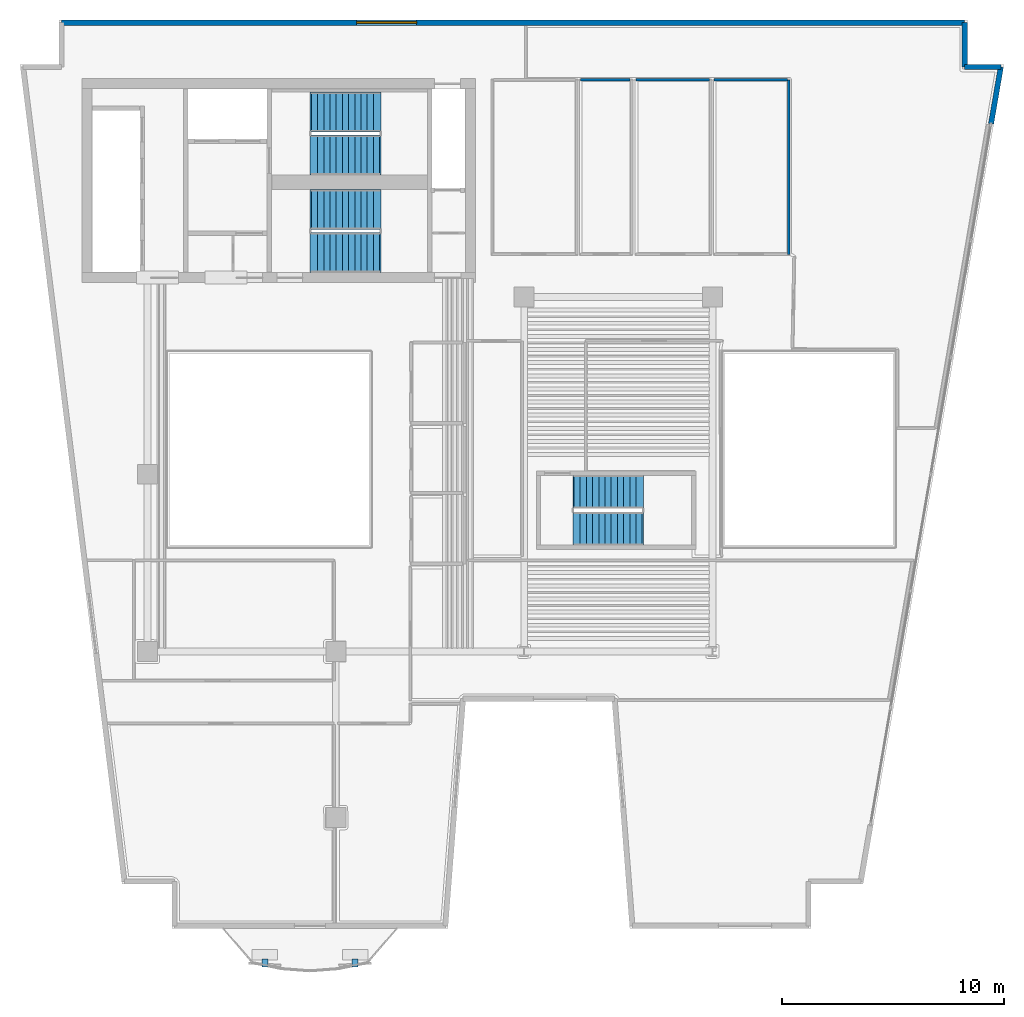
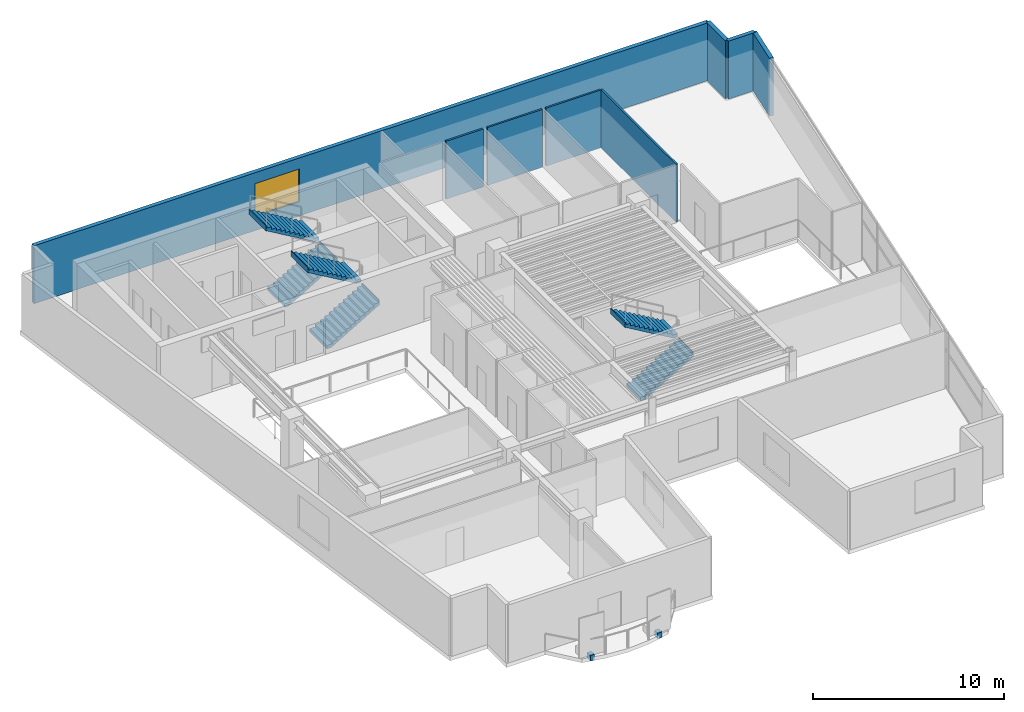
# One storey, part 6 of 9: 8 walls, 6 stair flights, 2 discrete accessories, 1 window, 1 opening, 3 elements without a shape of their own.
"""IFC4 building model written with IfcOpenShell, lengths in metres."""

from ifc_helpers import new_model, si_unit, direction, frame, frame_2d, origin, origin_2d, place, context, subcontext, project, spatial, polyline, rectangle, outline, extrude, material, layer, layer_set, type_object, element, fill, aggregate, save


model = new_model("IFC4")

# Units and contexts
model_context = context("Model", 3, precision=1e-05, world=origin(), true_north=direction((0.0, 1.0)))
body_context = subcontext(model_context, "Body", "Model", "MODEL_VIEW")
ifc_project = project(units=[si_unit("LENGTHUNIT", "METRE"), si_unit("AREAUNIT", "SQUARE_METRE"), si_unit("VOLUMEUNIT", "CUBIC_METRE"), si_unit("PLANEANGLEUNIT", "RADIAN"), si_unit("MASSUNIT", "GRAM", prefix="KILO")], contexts=[model_context])

# Site, building, storey
site_placement = place(None, origin())
site = spatial("IfcSite", under=ifc_project, at=site_placement, CompositionType="ELEMENT")
building_placement = place(site_placement, origin())
building = spatial("IfcBuilding", under=site, at=building_placement, Name="Caeloran Harvest Quay", CompositionType="ELEMENT")
storey_placement = place(building_placement, frame((0.0, 0.0, 231.14990234375)))
storey = spatial("IfcBuildingStorey", under=building, at=storey_placement, Name="L55", CompositionType="ELEMENT", Elevation=231.14990234375)

# Wall, opening, window
ifc_material_1 = material(Name="Precast concrete C50/60", Category="concrete")
ifc_layer_1 = layer(ifc_material_1, 0.239990234375, Name="Precast concrete C50/60")
ifc_layer_set_1 = layer_set([ifc_layer_1], Name="Precast concrete C50/60")
wall_type_1 = type_object("IfcWallType", Name="ENV-WALL-EW-240", PredefinedType="STANDARD", material=ifc_layer_set_1)
wall_1_placement = place(storey_placement, frame((4.6201171875, 43.3798828125, 0.0), z_axis=(0.0, 0.0, 1.0), x_axis=(1.0, 0.0, 0.0)))
wall_1 = element("IfcWall", 1, at=wall_1_placement, inside=storey, type_object=wall_type_1, Name="L55 Exterior Precast Concrete Facade Wall 6", PredefinedType="STANDARD", context=body_context, shape_type="SweptSolid", body=[
    extrude(rectangle(XDim=40.759765625, YDim=0.239990234375, at=frame_2d((20.3798828125, 0.0))), origin(), (0.0, 0.0, 1.0), 3.7001953125),
])
opening_placement = place(wall_1_placement, frame((13.323974609375, 0.0, 0.89990234375)))
opening = element("IfcOpeningElement", 2, at=opening_placement, cuts=wall_1, Name="Opening W-07", PredefinedType="OPENING", context=body_context, shape_type="SweptSolid", body=[
    extrude(rectangle(XDim=2.699951171875, YDim=2.10009765625, at=frame_2d((1.35009765625, 1.050048828125))), frame((0.0, 0.1298828125, 0.0), z_axis=(0.0, -1.0, 0.0), x_axis=(1.0, 0.0, 0.0)), (0.0, 0.0, 1.0), 0.260009765625),
])
ifc_material_2 = material(Name="Aluminium-Framed Low-E Laminated Glass", Category="aluminium")
window_type = type_object("IfcWindowType", Name="WIN-W-07", PartitioningType="DOUBLE_PANEL_VERTICAL", PredefinedType="WINDOW", material=ifc_material_2)
window_placement = place(opening_placement, origin())
window = element("IfcWindow", 3, at=window_placement, inside=storey, type_object=window_type, Name="L55 Facade Punched Window W-07", OverallHeight=2.10009765625, OverallWidth=2.699951171875, PartitioningType="DOUBLE_PANEL_VERTICAL", PredefinedType="WINDOW", context=body_context, shape_type="SweptSolid", body=[
    extrude(rectangle(XDim=2.699951171875, YDim=2.10009765625, at=frame_2d((1.35009765625, 1.050048828125))), frame((0.0, 0.030029296875, 0.0), z_axis=(0.0, -1.0, 0.0), x_axis=(1.0, 0.0, 0.0)), (0.0, 0.0, 1.0), 0.06005859375),
])
fill(opening, window)

# Walls
wall_2_placement = place(storey_placement, frame((45.3798828125, 43.3798828125, 0.0), z_axis=(0.0, 0.0, 1.0), x_axis=(0.0, -1.0, 0.0)))
element("IfcWall", 4, at=wall_2_placement, inside=storey, type_object=wall_type_1, Name="L55 Exterior Precast Concrete Facade Wall 7", PredefinedType="STANDARD", context=body_context, shape_type="SweptSolid", body=[
    extrude(rectangle(XDim=2.0, YDim=0.239990234375, at=frame_2d((1.0, 0.0))), origin(), (0.0, 0.0, 1.0), 3.7001953125),
])
wall_3_placement = place(storey_placement, frame((45.3798828125, 41.3798828125, 0.0), z_axis=(0.0, 0.0, 1.0), x_axis=(1.0, 0.0, 0.0)))
element("IfcWall", 5, at=wall_3_placement, inside=storey, type_object=wall_type_1, Name="L55 Exterior Precast Concrete Facade Wall 8", PredefinedType="STANDARD", context=body_context, shape_type="SweptSolid", body=[
    extrude(rectangle(XDim=1.634033203125, YDim=0.239990234375, at=frame_2d((0.81689453125, 0.0))), origin(), (0.0, 0.0, 1.0), 3.7001953125),
])
wall_4_placement = place(storey_placement, frame((47.013916015625, 41.3798828125, 0.0), z_axis=(0.0, 0.0, 1.0), x_axis=(-0.169406892601, -0.985546196147, 0.0)))
element("IfcWall", 6, at=wall_4_placement, inside=storey, type_object=wall_type_1, Name="L55 Exterior Facade Corner Pier Wall 9A", PredefinedType="STANDARD", context=body_context, shape_type="SweptSolid", body=[
    extrude(rectangle(XDim=2.599853515625, YDim=0.239990234375, at=frame_2d((1.2998046875, 0.0))), origin(), (0.0, 0.0, 1.0), 3.7001953125),
])
ifc_material_3 = material(Name="Single-Stud Acoustic Gypsum Office Partition", Category="gypsum")
ifc_layer_2 = layer(ifc_material_3, 0.112060546875, Name="Single-Stud Acoustic Gypsum Office Partition")
ifc_layer_set_2 = layer_set([ifc_layer_2], Name="Single-Stud Acoustic Gypsum Office Partition")
wall_type_2 = type_object("IfcWallType", Name="INT-WALL-PW-112", PredefinedType="PARTITIONING", material=ifc_layer_set_2)
wall_5_placement = place(storey_placement, frame((28.0400390625, 40.800048828125, 0.0), z_axis=(0.0, 0.0, 1.0), x_axis=(1.0, 0.0, 0.0)))
element("IfcWall", 7, at=wall_5_placement, inside=storey, type_object=wall_type_2, Name="L55 Genomics Sequencing East Studio Partition Wall", PredefinedType="PARTITIONING", context=body_context, shape_type="SweptSolid", body=[
    extrude(rectangle(XDim=2.2490234375, YDim=0.112060546875, at=frame_2d((1.12451171875, 0.0))), origin(), (0.0, 0.0, 1.0), 3.7001953125),
])
wall_6_placement = place(storey_placement, frame((30.550048828125, 40.800048828125, 0.0), z_axis=(0.0, 0.0, 1.0), x_axis=(1.0, 0.0, 0.0)))
element("IfcWall", 8, at=wall_6_placement, inside=storey, type_object=wall_type_2, Name="L55 Agri-Genomics West Boardroom Partition Wall", PredefinedType="PARTITIONING", context=body_context, shape_type="SweptSolid", body=[
    extrude(rectangle(XDim=3.308837890625, YDim=0.112060546875, at=frame_2d((1.654296875, 0.0))), origin(), (0.0, 0.0, 1.0), 3.7001953125),
])
wall_7_placement = place(storey_placement, frame((37.449951171875, 40.800048828125, 0.0), z_axis=(0.0, 0.0, 1.0), x_axis=(0.0, -1.0, 0.0)))
element("IfcWall", 9, at=wall_7_placement, inside=storey, type_object=wall_type_2, Name="L55 Executive Strategy East Office Partition Wall", PredefinedType="PARTITIONING", context=body_context, shape_type="SweptSolid", body=[
    extrude(rectangle(XDim=7.880126953125, YDim=0.112060546875, at=frame_2d((3.93994140625, 0.0))), origin(), (0.0, 0.0, 1.0), 3.7001953125),
])
wall_8_placement = place(storey_placement, frame((34.080078125, 40.800048828125, 0.0), z_axis=(0.0, 0.0, 1.0), x_axis=(1.0, 0.0, 0.0)))
element("IfcWall", 10, at=wall_8_placement, inside=storey, type_object=wall_type_2, Name="L55 Executive Strategy East Office Partition Wall", PredefinedType="PARTITIONING", context=body_context, shape_type="SweptSolid", body=[
    extrude(rectangle(XDim=3.308837890625, YDim=0.112060546875, at=frame_2d((1.654296875, 0.0))), origin(), (0.0, 0.0, 1.0), 3.7001953125),
])

# Stair, stair flights
ifc_material_4 = material(Name="Concrete C50/60", Category="concrete")
stair_type_1 = type_object("IfcStairType", Name="STAIR-STC-180", PredefinedType="HALF_TURN_STAIR", material=ifc_material_4)
stair_1_placement = place(storey_placement, origin())
stair_1 = element("IfcStair", 11, at=stair_1_placement, inside=storey, type_object=stair_type_1, Name="L55 Core Pressurized Exit Stair ST-C1", PredefinedType="HALF_TURN_STAIR")
stair_flight_type_1 = type_object("IfcStairFlightType", Name="FLIGHT-STC-180", PredefinedType="STRAIGHT", material=ifc_material_4)
stair_flight_1_placement = place(storey_placement, frame((15.89990234375, 37.39990234375, 0.0), z_axis=(0.0, 0.0, 1.0), x_axis=(1.0, 0.0, 0.0)))
stair_flight_1 = element("IfcStairFlight", 12, at=stair_flight_1_placement, type_object=stair_flight_type_1, Name="ST-C1 flight 1", NumberOfRisers=12, NumberOfTreads=11, PredefinedType="STRAIGHT", RiserHeight=0.164583333, TreadLength=0.28, context=body_context, shape_type="SweptSolid", body=[
    extrude(outline(polyline([(-0.054931640625, -0.044921875), (-0.054931640625, -0.031982421875), (-0.054931640625, -0.018798828125), (-0.054931640625, -0.005615234375), (-0.054931640625, 0.00732421875), (-0.054931640625, 0.0205078125), (-0.054931640625, 0.03369140625), (-0.054931640625, 0.046630859375), (-0.054931640625, 0.059814453125), (-0.054931640625, 0.072998046875), (-0.054931640625, 0.0859375), (-0.054931640625, 0.09912109375), (-0.054931640625, 0.1123046875), (-0.054931640625, 0.125244140625), (-0.054931640625, 0.138427734375), (-0.054931640625, 0.1513671875), (-0.054931640625, 0.16455078125), (0.280029296875, 0.16455078125), (0.280029296875, 0.3291015625), (0.56005859375, 0.3291015625), (0.56005859375, 0.49365234375), (0.840087890625, 0.49365234375), (0.840087890625, 0.658447265625), (1.1201171875, 0.658447265625), (1.1201171875, 0.822998046875), (1.39990234375, 0.822998046875), (1.39990234375, 0.987548828125), (1.679931640625, 0.987548828125), (1.679931640625, 1.152099609375), (1.9599609375, 1.152099609375), (1.9599609375, 1.316650390625), (2.239990234375, 1.316650390625), (2.239990234375, 1.481201171875), (2.52001953125, 1.481201171875), (2.52001953125, 1.645751953125), (2.800048828125, 1.645751953125), (2.800048828125, 1.810302734375), (3.080078125, 1.810302734375), (3.080078125, 1.97509765625), (3.135009765625, 1.97509765625), (3.135009765625, 1.953857421875), (3.135009765625, 1.9326171875), (3.135009765625, 1.91162109375), (3.135009765625, 1.890380859375), (3.135009765625, 1.869140625), (3.135009765625, 1.84814453125), (3.135009765625, 1.826904296875), (3.135009765625, 1.8056640625), (3.135009765625, 1.78466796875), (3.135009765625, 1.763427734375), (3.135009765625, 1.7421875), (3.135009765625, 1.72119140625), (3.135009765625, 1.699951171875), (3.135009765625, 1.678955078125), (3.135009765625, 1.65771484375), (3.135009765625, 1.636474609375), (3.080078125, 1.636474609375), (0.21923828125, -0.044921875), (-0.054931640625, -0.044921875)])), frame((0.0, 0.89990234375, 0.0), z_axis=(0.0, -1.0, 0.0), x_axis=(1.0, 0.0, 0.0)), (0.0, 0.0, 1.0), 1.800048828125),
])
stair_flight_2_placement = place(storey_placement, frame((18.97998046875, 39.35009765625, 1.97509765625), z_axis=(0.0, 0.0, 1.0), x_axis=(-1.0, 0.0, 0.0)))
stair_flight_2 = element("IfcStairFlight", 13, at=stair_flight_2_placement, type_object=stair_flight_type_1, Name="ST-C1 flight 2", NumberOfRisers=12, NumberOfTreads=11, PredefinedType="STRAIGHT", RiserHeight=0.164583333, TreadLength=0.28, context=body_context, shape_type="SweptSolid", body=[
    extrude(outline(polyline([(-0.054931640625, -0.044921875), (-0.054931640625, -0.031982421875), (-0.054931640625, -0.018798828125), (-0.054931640625, -0.005615234375), (-0.054931640625, 0.00732421875), (-0.054931640625, 0.0205078125), (-0.054931640625, 0.03369140625), (-0.054931640625, 0.046630859375), (-0.054931640625, 0.059814453125), (-0.054931640625, 0.072998046875), (-0.054931640625, 0.0859375), (-0.054931640625, 0.09912109375), (-0.054931640625, 0.1123046875), (-0.054931640625, 0.125244140625), (-0.054931640625, 0.138427734375), (-0.054931640625, 0.1513671875), (-0.054931640625, 0.16455078125), (0.280029296875, 0.16455078125), (0.280029296875, 0.3291015625), (0.56005859375, 0.3291015625), (0.56005859375, 0.49365234375), (0.840087890625, 0.49365234375), (0.840087890625, 0.658447265625), (1.1201171875, 0.658447265625), (1.1201171875, 0.822998046875), (1.39990234375, 0.822998046875), (1.39990234375, 0.987548828125), (1.679931640625, 0.987548828125), (1.679931640625, 1.152099609375), (1.9599609375, 1.152099609375), (1.9599609375, 1.316650390625), (2.239990234375, 1.316650390625), (2.239990234375, 1.481201171875), (2.52001953125, 1.481201171875), (2.52001953125, 1.645751953125), (2.800048828125, 1.645751953125), (2.800048828125, 1.810302734375), (3.080078125, 1.810302734375), (3.080078125, 1.97509765625), (3.135009765625, 1.97509765625), (3.135009765625, 1.953857421875), (3.135009765625, 1.9326171875), (3.135009765625, 1.91162109375), (3.135009765625, 1.890380859375), (3.135009765625, 1.869140625), (3.135009765625, 1.84814453125), (3.135009765625, 1.826904296875), (3.135009765625, 1.8056640625), (3.135009765625, 1.78466796875), (3.135009765625, 1.763427734375), (3.135009765625, 1.7421875), (3.135009765625, 1.72119140625), (3.135009765625, 1.699951171875), (3.135009765625, 1.678955078125), (3.135009765625, 1.65771484375), (3.135009765625, 1.636474609375), (3.080078125, 1.636474609375), (0.21923828125, -0.044921875), (-0.054931640625, -0.044921875)])), frame((0.0, 0.89990234375, 0.0), z_axis=(0.0, -1.0, 0.0), x_axis=(1.0, 0.0, 0.0)), (0.0, 0.0, 1.0), 1.800048828125),
])
aggregate(stair_1, [stair_flight_1, stair_flight_2])

stair_2_placement = place(storey_placement, origin())
stair_2 = element("IfcStair", 14, at=stair_2_placement, inside=storey, type_object=stair_type_1, Name="L55 Core Pressurized Exit Stair ST-C2", PredefinedType="HALF_TURN_STAIR")
stair_flight_3_placement = place(storey_placement, frame((15.89990234375, 33.0, 0.0), z_axis=(0.0, 0.0, 1.0), x_axis=(1.0, 0.0, 0.0)))
stair_flight_3 = element("IfcStairFlight", 15, at=stair_flight_3_placement, type_object=stair_flight_type_1, Name="ST-C2 flight 1", NumberOfRisers=12, NumberOfTreads=11, PredefinedType="STRAIGHT", RiserHeight=0.164583333, TreadLength=0.28, context=body_context, shape_type="SweptSolid", body=[
    extrude(outline(polyline([(-0.054931640625, -0.044921875), (-0.054931640625, -0.031982421875), (-0.054931640625, -0.018798828125), (-0.054931640625, -0.005615234375), (-0.054931640625, 0.00732421875), (-0.054931640625, 0.0205078125), (-0.054931640625, 0.03369140625), (-0.054931640625, 0.046630859375), (-0.054931640625, 0.059814453125), (-0.054931640625, 0.072998046875), (-0.054931640625, 0.0859375), (-0.054931640625, 0.09912109375), (-0.054931640625, 0.1123046875), (-0.054931640625, 0.125244140625), (-0.054931640625, 0.138427734375), (-0.054931640625, 0.1513671875), (-0.054931640625, 0.16455078125), (0.280029296875, 0.16455078125), (0.280029296875, 0.3291015625), (0.56005859375, 0.3291015625), (0.56005859375, 0.49365234375), (0.840087890625, 0.49365234375), (0.840087890625, 0.658447265625), (1.1201171875, 0.658447265625), (1.1201171875, 0.822998046875), (1.39990234375, 0.822998046875), (1.39990234375, 0.987548828125), (1.679931640625, 0.987548828125), (1.679931640625, 1.152099609375), (1.9599609375, 1.152099609375), (1.9599609375, 1.316650390625), (2.239990234375, 1.316650390625), (2.239990234375, 1.481201171875), (2.52001953125, 1.481201171875), (2.52001953125, 1.645751953125), (2.800048828125, 1.645751953125), (2.800048828125, 1.810302734375), (3.080078125, 1.810302734375), (3.080078125, 1.97509765625), (3.135009765625, 1.97509765625), (3.135009765625, 1.953857421875), (3.135009765625, 1.9326171875), (3.135009765625, 1.91162109375), (3.135009765625, 1.890380859375), (3.135009765625, 1.869140625), (3.135009765625, 1.84814453125), (3.135009765625, 1.826904296875), (3.135009765625, 1.8056640625), (3.135009765625, 1.78466796875), (3.135009765625, 1.763427734375), (3.135009765625, 1.7421875), (3.135009765625, 1.72119140625), (3.135009765625, 1.699951171875), (3.135009765625, 1.678955078125), (3.135009765625, 1.65771484375), (3.135009765625, 1.636474609375), (3.080078125, 1.636474609375), (0.21923828125, -0.044921875), (-0.054931640625, -0.044921875)])), frame((0.0, 0.89990234375, 0.0), z_axis=(0.0, -1.0, 0.0), x_axis=(1.0, 0.0, 0.0)), (0.0, 0.0, 1.0), 1.800048828125),
])
stair_flight_4_placement = place(storey_placement, frame((18.97998046875, 34.949951171875, 1.97509765625), z_axis=(0.0, 0.0, 1.0), x_axis=(-1.0, 0.0, 0.0)))
stair_flight_4 = element("IfcStairFlight", 16, at=stair_flight_4_placement, type_object=stair_flight_type_1, Name="ST-C2 flight 2", NumberOfRisers=12, NumberOfTreads=11, PredefinedType="STRAIGHT", RiserHeight=0.164583333, TreadLength=0.28, context=body_context, shape_type="SweptSolid", body=[
    extrude(outline(polyline([(-0.054931640625, -0.044921875), (-0.054931640625, -0.031982421875), (-0.054931640625, -0.018798828125), (-0.054931640625, -0.005615234375), (-0.054931640625, 0.00732421875), (-0.054931640625, 0.0205078125), (-0.054931640625, 0.03369140625), (-0.054931640625, 0.046630859375), (-0.054931640625, 0.059814453125), (-0.054931640625, 0.072998046875), (-0.054931640625, 0.0859375), (-0.054931640625, 0.09912109375), (-0.054931640625, 0.1123046875), (-0.054931640625, 0.125244140625), (-0.054931640625, 0.138427734375), (-0.054931640625, 0.1513671875), (-0.054931640625, 0.16455078125), (0.280029296875, 0.16455078125), (0.280029296875, 0.3291015625), (0.56005859375, 0.3291015625), (0.56005859375, 0.49365234375), (0.840087890625, 0.49365234375), (0.840087890625, 0.658447265625), (1.1201171875, 0.658447265625), (1.1201171875, 0.822998046875), (1.39990234375, 0.822998046875), (1.39990234375, 0.987548828125), (1.679931640625, 0.987548828125), (1.679931640625, 1.152099609375), (1.9599609375, 1.152099609375), (1.9599609375, 1.316650390625), (2.239990234375, 1.316650390625), (2.239990234375, 1.481201171875), (2.52001953125, 1.481201171875), (2.52001953125, 1.645751953125), (2.800048828125, 1.645751953125), (2.800048828125, 1.810302734375), (3.080078125, 1.810302734375), (3.080078125, 1.97509765625), (3.135009765625, 1.97509765625), (3.135009765625, 1.953857421875), (3.135009765625, 1.9326171875), (3.135009765625, 1.91162109375), (3.135009765625, 1.890380859375), (3.135009765625, 1.869140625), (3.135009765625, 1.84814453125), (3.135009765625, 1.826904296875), (3.135009765625, 1.8056640625), (3.135009765625, 1.78466796875), (3.135009765625, 1.763427734375), (3.135009765625, 1.7421875), (3.135009765625, 1.72119140625), (3.135009765625, 1.699951171875), (3.135009765625, 1.678955078125), (3.135009765625, 1.65771484375), (3.135009765625, 1.636474609375), (3.080078125, 1.636474609375), (0.21923828125, -0.044921875), (-0.054931640625, -0.044921875)])), frame((0.0, 0.89990234375, 0.0), z_axis=(0.0, -1.0, 0.0), x_axis=(1.0, 0.0, 0.0)), (0.0, 0.0, 1.0), 1.800048828125),
])
aggregate(stair_2, [stair_flight_3, stair_flight_4])

stair_type_2 = type_object("IfcStairType", Name="STAIR-STW-150", PredefinedType="HALF_TURN_STAIR", material=ifc_material_4)
stair_3_placement = place(storey_placement, origin())
stair_3 = element("IfcStair", 17, at=stair_3_placement, inside=storey, type_object=stair_type_2, Name="L55 East Wing Protected Exit Stair ST-W1", PredefinedType="HALF_TURN_STAIR")
stair_flight_type_2 = type_object("IfcStairFlightType", Name="FLIGHT-STW-150", PredefinedType="STRAIGHT", material=ifc_material_4)
stair_flight_5_placement = place(storey_placement, frame((27.75, 20.550048828125, 0.0), z_axis=(0.0, 0.0, 1.0), x_axis=(1.0, 0.0, 0.0)))
stair_flight_5 = element("IfcStairFlight", 18, at=stair_flight_5_placement, type_object=stair_flight_type_2, Name="ST-W1 flight 1", NumberOfRisers=12, NumberOfTreads=11, PredefinedType="STRAIGHT", RiserHeight=0.164583333, TreadLength=0.28, context=body_context, shape_type="SweptSolid", body=[
    extrude(outline(polyline([(-0.054931640625, -0.044921875), (-0.054931640625, -0.031982421875), (-0.054931640625, -0.018798828125), (-0.054931640625, -0.005615234375), (-0.054931640625, 0.00732421875), (-0.054931640625, 0.0205078125), (-0.054931640625, 0.03369140625), (-0.054931640625, 0.046630859375), (-0.054931640625, 0.059814453125), (-0.054931640625, 0.072998046875), (-0.054931640625, 0.0859375), (-0.054931640625, 0.09912109375), (-0.054931640625, 0.1123046875), (-0.054931640625, 0.125244140625), (-0.054931640625, 0.138427734375), (-0.054931640625, 0.1513671875), (-0.054931640625, 0.16455078125), (0.280029296875, 0.16455078125), (0.280029296875, 0.3291015625), (0.56005859375, 0.3291015625), (0.56005859375, 0.49365234375), (0.840087890625, 0.49365234375), (0.840087890625, 0.658447265625), (1.1201171875, 0.658447265625), (1.1201171875, 0.822998046875), (1.39990234375, 0.822998046875), (1.39990234375, 0.987548828125), (1.679931640625, 0.987548828125), (1.679931640625, 1.152099609375), (1.9599609375, 1.152099609375), (1.9599609375, 1.316650390625), (2.239990234375, 1.316650390625), (2.239990234375, 1.481201171875), (2.52001953125, 1.481201171875), (2.52001953125, 1.645751953125), (2.800048828125, 1.645751953125), (2.800048828125, 1.810302734375), (3.080078125, 1.810302734375), (3.080078125, 1.97509765625), (3.135009765625, 1.97509765625), (3.135009765625, 1.953857421875), (3.135009765625, 1.9326171875), (3.135009765625, 1.91162109375), (3.135009765625, 1.890380859375), (3.135009765625, 1.869140625), (3.135009765625, 1.84814453125), (3.135009765625, 1.826904296875), (3.135009765625, 1.8056640625), (3.135009765625, 1.78466796875), (3.135009765625, 1.763427734375), (3.135009765625, 1.7421875), (3.135009765625, 1.72119140625), (3.135009765625, 1.699951171875), (3.135009765625, 1.678955078125), (3.135009765625, 1.65771484375), (3.135009765625, 1.636474609375), (3.080078125, 1.636474609375), (0.21923828125, -0.044921875), (-0.054931640625, -0.044921875)])), frame((0.0, 0.75, 0.0), z_axis=(0.0, -1.0, 0.0), x_axis=(1.0, 0.0, 0.0)), (0.0, 0.0, 1.0), 1.5),
])
stair_flight_6_placement = place(storey_placement, frame((30.830078125, 22.199951171875, 1.97509765625), z_axis=(0.0, 0.0, 1.0), x_axis=(-1.0, 0.0, 0.0)))
stair_flight_6 = element("IfcStairFlight", 19, at=stair_flight_6_placement, type_object=stair_flight_type_2, Name="ST-W1 flight 2", NumberOfRisers=12, NumberOfTreads=11, PredefinedType="STRAIGHT", RiserHeight=0.164583333, TreadLength=0.28, context=body_context, shape_type="SweptSolid", body=[
    extrude(outline(polyline([(-0.054931640625, -0.044921875), (-0.054931640625, -0.031982421875), (-0.054931640625, -0.018798828125), (-0.054931640625, -0.005615234375), (-0.054931640625, 0.00732421875), (-0.054931640625, 0.0205078125), (-0.054931640625, 0.03369140625), (-0.054931640625, 0.046630859375), (-0.054931640625, 0.059814453125), (-0.054931640625, 0.072998046875), (-0.054931640625, 0.0859375), (-0.054931640625, 0.09912109375), (-0.054931640625, 0.1123046875), (-0.054931640625, 0.125244140625), (-0.054931640625, 0.138427734375), (-0.054931640625, 0.1513671875), (-0.054931640625, 0.16455078125), (0.280029296875, 0.16455078125), (0.280029296875, 0.3291015625), (0.56005859375, 0.3291015625), (0.56005859375, 0.49365234375), (0.840087890625, 0.49365234375), (0.840087890625, 0.658447265625), (1.1201171875, 0.658447265625), (1.1201171875, 0.822998046875), (1.39990234375, 0.822998046875), (1.39990234375, 0.987548828125), (1.679931640625, 0.987548828125), (1.679931640625, 1.152099609375), (1.9599609375, 1.152099609375), (1.9599609375, 1.316650390625), (2.239990234375, 1.316650390625), (2.239990234375, 1.481201171875), (2.52001953125, 1.481201171875), (2.52001953125, 1.645751953125), (2.800048828125, 1.645751953125), (2.800048828125, 1.810302734375), (3.080078125, 1.810302734375), (3.080078125, 1.97509765625), (3.135009765625, 1.97509765625), (3.135009765625, 1.953857421875), (3.135009765625, 1.9326171875), (3.135009765625, 1.91162109375), (3.135009765625, 1.890380859375), (3.135009765625, 1.869140625), (3.135009765625, 1.84814453125), (3.135009765625, 1.826904296875), (3.135009765625, 1.8056640625), (3.135009765625, 1.78466796875), (3.135009765625, 1.763427734375), (3.135009765625, 1.7421875), (3.135009765625, 1.72119140625), (3.135009765625, 1.699951171875), (3.135009765625, 1.678955078125), (3.135009765625, 1.65771484375), (3.135009765625, 1.636474609375), (3.080078125, 1.636474609375), (0.21923828125, -0.044921875), (-0.054931640625, -0.044921875)])), frame((0.0, 0.75, 0.0), z_axis=(0.0, -1.0, 0.0), x_axis=(1.0, 0.0, 0.0)), (0.0, 0.0, 1.0), 1.5),
])
aggregate(stair_3, [stair_flight_5, stair_flight_6])

# Discrete accessories
ifc_material_5 = material(Name="Stainless Steel Grade 316L", Category="steel")
discrete_accessory_type = type_object("IfcDiscreteAccessoryType", Name="BRACKET-SCREEN-SS", PredefinedType="BRACKET", material=ifc_material_5)
for number, where, z_axis, x_axis, name in (
    (20, (17.868408203125, 0.943603515625, -0.2197265625), (0.0, 0.0, 1.0), (1.0, 0.0, 0.0), "L55 Balcony Screen Support Bracket 1"),
    (21, (13.800537109375, 0.943603515625, -0.2197265625), (0.0, 0.0, 1.0), (1.0, 0.0, 0.0), "L55 Balcony Screen Support Bracket 2"),
):
    element("IfcDiscreteAccessory", number, at=place(storey_placement, frame(where, z_axis=z_axis, x_axis=x_axis)), inside=storey, type_object=discrete_accessory_type, Name=name, PredefinedType="BRACKET", context=body_context, shape_type="SweptSolid", body=[
        extrude(rectangle(XDim=0.260009765625, YDim=0.340087890625, at=origin_2d()), origin(), (0.0, 0.0, 1.0), 0.360107421875),
    ])

save(model, "model.ifc")
